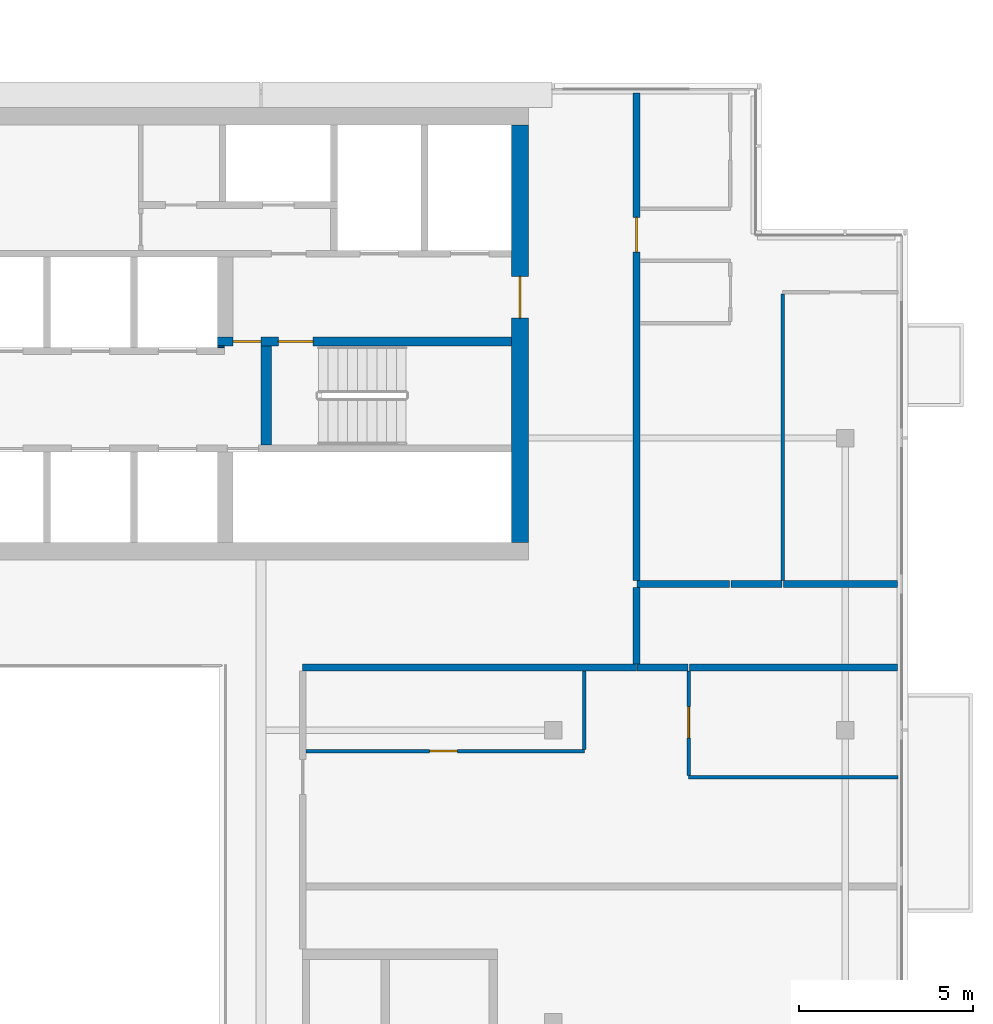
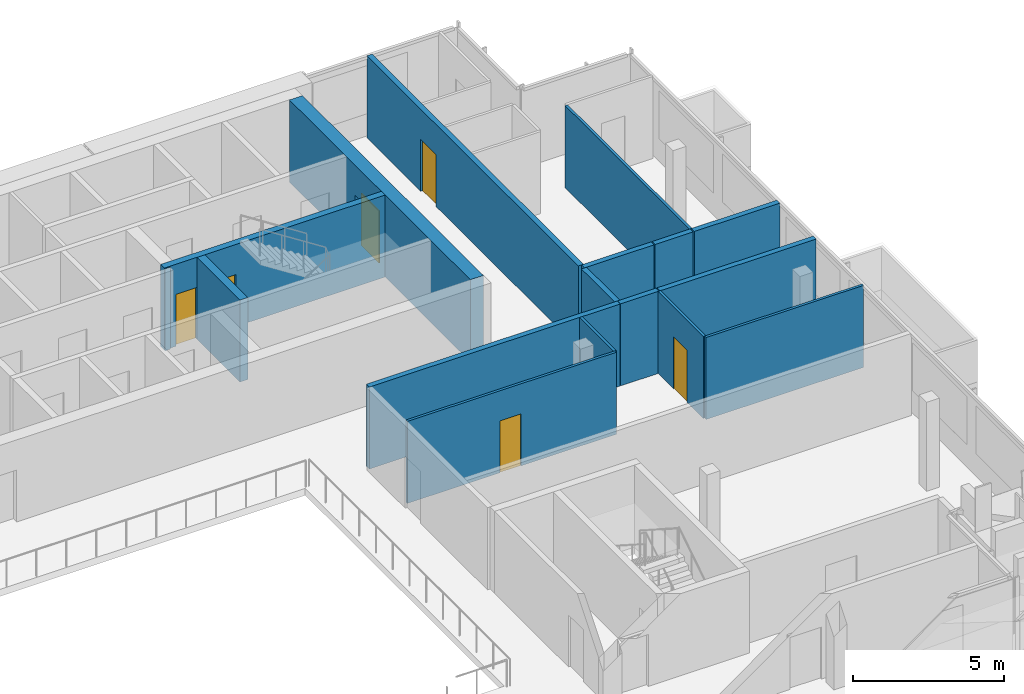
# One storey, part 13 of 21: 17 walls, 6 doors, 6 openings.
"""IFC4 building model written with IfcOpenShell, lengths in metres."""

from ifc_helpers import new_model, si_unit, direction, frame, frame_2d, origin, place, context, subcontext, project, spatial, rectangle, extrude, material, layer, layer_set, type_object, element, fill, save


model = new_model("IFC4")

# Units and contexts
model_context = context("Model", 3, precision=1e-05, world=origin(), true_north=direction((0.0, 1.0)))
body_context = subcontext(model_context, "Body", "Model", "MODEL_VIEW")
ifc_project = project(units=[si_unit("LENGTHUNIT", "METRE"), si_unit("AREAUNIT", "SQUARE_METRE"), si_unit("VOLUMEUNIT", "CUBIC_METRE"), si_unit("PLANEANGLEUNIT", "RADIAN"), si_unit("MASSUNIT", "GRAM", prefix="KILO")], contexts=[model_context])

# Site, building, storey
site_placement = place(None, origin())
site = spatial("IfcSite", under=ifc_project, at=site_placement, CompositionType="ELEMENT")
building_placement = place(site_placement, origin())
building = spatial("IfcBuilding", under=site, at=building_placement, Name="Saffron Gate Tower", CompositionType="ELEMENT")
storey_placement = place(building_placement, frame((0.0, 0.0, 288.75)))
storey = spatial("IfcBuildingStorey", under=building, at=storey_placement, Name="L70", CompositionType="ELEMENT", Elevation=288.75)

# Wall, opening, door
ifc_material_1 = material(Name="Concrete C50", Category="concrete")
ifc_layer_1 = layer(ifc_material_1, 0.5)
ifc_layer_set_1 = layer_set([ifc_layer_1], Name="CW22 RC core wall 500 C50")
wall_type_1 = type_object("IfcWallType", Name="CW22 RC core wall 500 C50", PredefinedType="SOLIDWALL", material=ifc_layer_set_1)
wall_1_placement = place(storey_placement, frame((107.64990234375, 62.39990234375, 0.0), z_axis=(0.0, 0.0, 1.0), x_axis=(0.0, 1.0, 0.0)))
wall_1 = element("IfcWall", 1, at=wall_1_placement, inside=storey, type_object=wall_type_1, Name="Wall CW22-L70-4", PredefinedType="SOLIDWALL", context=body_context, shape_type="SweptSolid", body=[
    extrude(rectangle(XDim=12.0, YDim=0.5, at=frame_2d((6.0, 0.0))), origin(), (0.0, 0.0, 1.0), 3.320068359375),
])
opening_1_placement = place(wall_1_placement, frame((6.449951171875, 0.0, 0.0)))
opening_1 = element("IfcOpeningElement", 2, at=opening_1_placement, cuts=wall_1, Name="Opening CR-08", PredefinedType="OPENING", context=body_context, shape_type="SweptSolid", body=[
    extrude(rectangle(XDim=1.199951171875, YDim=2.10009765625, at=frame_2d((0.60009765625, 1.050048828125))), frame((0.0, 0.260009765625, 0.0), z_axis=(0.0, -1.0, 0.0), x_axis=(1.0, 0.0, 0.0)), (0.0, 0.0, 1.0), 0.52001953125),
])
ifc_material_2 = material(Name="Steel fire door set", Category="steel")
door_type_1 = type_object("IfcDoorType", Name="CD7 Core entrance door 1200x2100 EI 120", OperationType="NOTDEFINED", PredefinedType="DOOR", material=ifc_material_2)
door_1_placement = place(opening_1_placement, origin())
door_1 = element("IfcDoor", 3, at=door_1_placement, inside=storey, type_object=door_type_1, Name="DOOR CR-08", OperationType="SINGLE_SWING_RIGHT", OverallHeight=2.10009765625, OverallWidth=1.199951171875, PredefinedType="DOOR", context=body_context, shape_type="SweptSolid", body=[
    extrude(rectangle(XDim=1.199951171875, YDim=2.10009765625, at=frame_2d((0.60009765625, 1.050048828125))), frame((0.0, 0.02490234375, 0.0), z_axis=(0.0, -1.0, 0.0), x_axis=(1.0, 0.0, 0.0)), (0.0, 0.0, 1.0), 0.050048828125),
])
fill(opening_1, door_1)

# Wall, openings, doors
ifc_layer_2 = layer(ifc_material_1, 0.25)
ifc_layer_set_2 = layer_set([ifc_layer_2], Name="CW23 RC core wall 250 C50")
wall_type_2 = type_object("IfcWallType", Name="CW23 RC core wall 250 C50", PredefinedType="SOLIDWALL", material=ifc_layer_set_2)
wall_2_placement = place(storey_placement, frame((98.949951171875, 68.175048828125, 0.0), z_axis=(0.0, 0.0, 1.0), x_axis=(1.0, 0.0, 0.0)))
wall_2 = element("IfcWall", 4, at=wall_2_placement, inside=storey, type_object=wall_type_2, Name="Wall CW23-L70-29", PredefinedType="SOLIDWALL", context=body_context, shape_type="SweptSolid", body=[
    extrude(rectangle(XDim=8.449951171875, YDim=0.25, at=frame_2d((4.22509765625, 0.0))), origin(), (0.0, 0.0, 1.0), 3.320068359375),
])
opening_2_placement = place(wall_2_placement, frame((0.449951171875, 0.0, 0.0)))
opening_2 = element("IfcOpeningElement", 5, at=opening_2_placement, cuts=wall_2, Name="Opening CR-05", PredefinedType="OPENING", context=body_context, shape_type="SweptSolid", body=[
    extrude(rectangle(XDim=0.800048828125, YDim=2.10009765625, at=frame_2d((0.39990234375, 1.050048828125))), frame((0.0, 0.135009765625, 0.0), z_axis=(0.0, -1.0, 0.0), x_axis=(1.0, 0.0, 0.0)), (0.0, 0.0, 1.0), 0.27001953125),
])
opening_3_placement = place(wall_2_placement, frame((1.75, 0.0, 0.0)))
opening_3 = element("IfcOpeningElement", 6, at=opening_3_placement, cuts=wall_2, Name="Opening CR-16", PredefinedType="OPENING", context=body_context, shape_type="SweptSolid", body=[
    extrude(rectangle(XDim=1.0, YDim=2.10009765625, at=frame_2d((0.5, 1.050048828125))), frame((0.0, 0.135009765625, 0.0), z_axis=(0.0, -1.0, 0.0), x_axis=(1.0, 0.0, 0.0)), (0.0, 0.0, 1.0), 0.27001953125),
])
door_type_2 = type_object("IfcDoorType", Name="CD5 Stair door 1000x2100 EI 120", OperationType="NOTDEFINED", PredefinedType="DOOR", material=ifc_material_2)
door_2_placement = place(opening_3_placement, origin())
door_2 = element("IfcDoor", 7, at=door_2_placement, inside=storey, type_object=door_type_2, Name="DOOR CR-16", OperationType="SINGLE_SWING_RIGHT", OverallHeight=2.10009765625, OverallWidth=1.0, PredefinedType="DOOR", context=body_context, shape_type="SweptSolid", body=[
    extrude(rectangle(XDim=1.0, YDim=2.10009765625, at=frame_2d((0.5, 1.050048828125))), frame((0.0, 0.02490234375, 0.0), z_axis=(0.0, -1.0, 0.0), x_axis=(1.0, 0.0, 0.0)), (0.0, 0.0, 1.0), 0.050048828125),
])
fill(opening_3, door_2)
door_type_3 = type_object("IfcDoorType", Name="CD6 Lobby door 800x2100 EI 120", OperationType="NOTDEFINED", PredefinedType="DOOR", material=ifc_material_2)
door_3_placement = place(opening_2_placement, origin())
door_3 = element("IfcDoor", 8, at=door_3_placement, inside=storey, type_object=door_type_3, Name="DOOR CR-05", OperationType="SINGLE_SWING_LEFT", OverallHeight=2.10009765625, OverallWidth=0.800048828125, PredefinedType="DOOR", context=body_context, shape_type="SweptSolid", body=[
    extrude(rectangle(XDim=0.800048828125, YDim=2.10009765625, at=frame_2d((0.39990234375, 1.050048828125))), frame((0.0, 0.02490234375, 0.0), z_axis=(0.0, -1.0, 0.0), x_axis=(1.0, 0.0, 0.0)), (0.0, 0.0, 1.0), 0.050048828125),
])
fill(opening_2, door_3)

# Walls
ifc_layer_3 = layer(ifc_material_1, 0.300048828125)
ifc_layer_set_3 = layer_set([ifc_layer_3], Name="CW26 RC core wall 300 C50")
wall_type_3 = type_object("IfcWallType", Name="CW26 RC core wall 300 C50", PredefinedType="SOLIDWALL", material=ifc_layer_set_3)
wall_3_placement = place(storey_placement, frame((100.35009765625, 65.199951171875, 0.0), z_axis=(0.0, 0.0, 1.0), x_axis=(0.0, 1.0, 0.0)))
element("IfcWall", 9, at=wall_3_placement, inside=storey, type_object=wall_type_3, Name="Wall CW26-L70-19", PredefinedType="SOLIDWALL", context=body_context, shape_type="SweptSolid", body=[
    extrude(rectangle(XDim=2.85009765625, YDim=0.300048828125, at=frame_2d((1.425048828125, 0.0))), origin(), (0.0, 0.0, 1.0), 3.320068359375),
])
ifc_layer_4 = layer(ifc_material_1, 0.050048828125)
ifc_layer_set_4 = layer_set([ifc_layer_4], Name="CW27 RC core wall 50 C50")
wall_type_4 = type_object("IfcWallType", Name="CW27 RC core wall 50 C50", PredefinedType="SOLIDWALL", material=ifc_layer_set_4)
wall_4_placement = place(storey_placement, frame((98.949951171875, 68.02490234375, 0.0), z_axis=(0.0, 0.0, 1.0), x_axis=(1.0, 0.0, 0.0)))
element("IfcWall", 10, at=wall_4_placement, inside=storey, type_object=wall_type_4, Name="Wall CW27-L70-27", PredefinedType="SOLIDWALL", context=body_context, shape_type="SweptSolid", body=[
    extrude(rectangle(XDim=0.199951171875, YDim=0.050048828125, at=frame_2d((0.10009765625, 0.0))), origin(), (0.0, 0.0, 1.0), 3.320068359375),
])
ifc_material_3 = material(Name="Plasterboard on steel studs", Category="steel")
ifc_layer_5 = layer(ifc_material_3, 0.10009765625)
ifc_layer_set_5 = layer_set([ifc_layer_5], Name="PW1 Partition 100")
wall_type_5 = type_object("IfcWallType", Name="PW1 Partition 100", PredefinedType="PARTITIONING", material=ifc_layer_set_5)
wall_5_placement = place(storey_placement, frame((112.5, 55.64990234375, 0.0), z_axis=(0.0, 0.0, 1.0), x_axis=(1.0, 0.0, 0.0)))
element("IfcWall", 11, at=wall_5_placement, inside=storey, type_object=wall_type_5, Name="Partition E5-10", PredefinedType="PARTITIONING", context=body_context, shape_type="SweptSolid", body=[
    extrude(rectangle(XDim=6.02001953125, YDim=0.10009765625, at=frame_2d((3.010009765625, 0.0))), origin(), (0.0, 0.0, 1.0), 3.320068359375),
])

# Wall, opening, door
wall_6_placement = place(storey_placement, frame((101.5, 56.39990234375, 0.0), z_axis=(0.0, 0.0, 1.0), x_axis=(1.0, 0.0, 0.0)))
wall_6 = element("IfcWall", 12, at=wall_6_placement, inside=storey, type_object=wall_type_5, Name="Partition E5-11", PredefinedType="PARTITIONING", context=body_context, shape_type="SweptSolid", body=[
    extrude(rectangle(XDim=8.0, YDim=0.10009765625, at=frame_2d((4.0, 0.0))), origin(), (0.0, 0.0, 1.0), 3.320068359375),
])
opening_4_placement = place(wall_6_placement, frame((3.550048828125, 0.0, 0.0)))
opening_4 = element("IfcOpeningElement", 13, at=opening_4_placement, cuts=wall_6, Name="Opening E5-12", PredefinedType="OPENING", context=body_context, shape_type="SweptSolid", body=[
    extrude(rectangle(XDim=0.800048828125, YDim=2.10009765625, at=frame_2d((0.39990234375, 1.050048828125))), frame((0.0, 0.06005859375, 0.0), z_axis=(0.0, -1.0, 0.0), x_axis=(1.0, 0.0, 0.0)), (0.0, 0.0, 1.0), 0.1201171875),
])
ifc_material_4 = material(Name="Timber door set", Category="wood")
door_type_4 = type_object("IfcDoorType", Name="RD2 Bathroom door 800x2100", OperationType="NOTDEFINED", PredefinedType="DOOR", material=ifc_material_4)
door_4_placement = place(opening_4_placement, origin())
door_4 = element("IfcDoor", 14, at=door_4_placement, inside=storey, type_object=door_type_4, Name="Door E5-12", OperationType="SINGLE_SWING_LEFT", OverallHeight=2.10009765625, OverallWidth=0.800048828125, PredefinedType="DOOR", context=body_context, shape_type="SweptSolid", body=[
    extrude(rectangle(XDim=0.800048828125, YDim=2.10009765625, at=frame_2d((0.39990234375, 1.050048828125))), frame((0.0, 0.02490234375, 0.0), z_axis=(0.0, -1.0, 0.0), x_axis=(1.0, 0.0, 0.0)), (0.0, 0.0, 1.0), 0.050048828125),
])
fill(opening_4, door_4)

# Wall
wall_7_placement = place(storey_placement, frame((109.5, 58.699951171875, 0.0), z_axis=(0.0, 0.0, 1.0), x_axis=(0.0, -1.0, 0.0)))
element("IfcWall", 15, at=wall_7_placement, inside=storey, type_object=wall_type_5, Name="Partition E5-40", PredefinedType="PARTITIONING", context=body_context, shape_type="SweptSolid", body=[
    extrude(rectangle(XDim=2.25, YDim=0.10009765625, at=frame_2d((1.125, 0.0))), origin(), (0.0, 0.0, 1.0), 3.320068359375),
])

# Wall, opening, door
wall_8_placement = place(storey_placement, frame((112.5, 58.699951171875, 0.0), z_axis=(0.0, 0.0, 1.0), x_axis=(0.0, -1.0, 0.0)))
wall_8 = element("IfcWall", 16, at=wall_8_placement, inside=storey, type_object=wall_type_5, Name="Partition E5-43", PredefinedType="PARTITIONING", context=body_context, shape_type="SweptSolid", body=[
    extrude(rectangle(XDim=3.0, YDim=0.10009765625, at=frame_2d((1.5, 0.0))), origin(), (0.0, 0.0, 1.0), 3.320068359375),
])
opening_5_placement = place(wall_8_placement, frame((1.02490234375, 0.0, 0.0)))
opening_5 = element("IfcOpeningElement", 17, at=opening_5_placement, cuts=wall_8, Name="Opening E5-7", PredefinedType="OPENING", context=body_context, shape_type="SweptSolid", body=[
    extrude(rectangle(XDim=0.89990234375, YDim=2.10009765625, at=frame_2d((0.449951171875, 1.050048828125))), frame((0.0, 0.06005859375, 0.0), z_axis=(0.0, -1.0, 0.0), x_axis=(1.0, 0.0, 0.0)), (0.0, 0.0, 1.0), 0.1201171875),
])
door_type_5 = type_object("IfcDoorType", Name="RD1 Room door 900x2100", OperationType="NOTDEFINED", PredefinedType="DOOR", material=ifc_material_4)
door_5_placement = place(opening_5_placement, origin())
door_5 = element("IfcDoor", 18, at=door_5_placement, inside=storey, type_object=door_type_5, Name="Door E5-7", OperationType="SINGLE_SWING_LEFT", OverallHeight=2.10009765625, OverallWidth=0.89990234375, PredefinedType="DOOR", context=body_context, shape_type="SweptSolid", body=[
    extrude(rectangle(XDim=0.89990234375, YDim=2.10009765625, at=frame_2d((0.449951171875, 1.050048828125))), frame((0.0, 0.02490234375, 0.0), z_axis=(0.0, -1.0, 0.0), x_axis=(1.0, 0.0, 0.0)), (0.0, 0.0, 1.0), 0.050048828125),
])
fill(opening_5, door_5)

# Walls
wall_9_placement = place(storey_placement, frame((115.199951171875, 69.550048828125, 0.0), z_axis=(0.0, 0.0, 1.0), x_axis=(0.0, -1.0, 0.0)))
element("IfcWall", 19, at=wall_9_placement, inside=storey, type_object=wall_type_5, Name="Partition E5-47", PredefinedType="PARTITIONING", context=body_context, shape_type="SweptSolid", body=[
    extrude(rectangle(XDim=8.25, YDim=0.10009765625, at=frame_2d((4.125, 0.0))), origin(), (0.0, 0.0, 1.0), 3.320068359375),
])
ifc_material_5 = material(Name="Clay brick masonry, rendered", Category="masonry")
ifc_layer_6 = layer(ifc_material_5, 0.199951171875)
ifc_layer_set_6 = layer_set([ifc_layer_6], Name="PW3 Corridor wall 200")
wall_type_6 = type_object("IfcWallType", Name="PW3 Corridor wall 200", PredefinedType="PARTITIONING", material=ifc_layer_set_6)
wall_10_placement = place(storey_placement, frame((101.39990234375, 58.800048828125, 0.0), z_axis=(0.0, 0.0, 1.0), x_axis=(1.0, 0.0, 0.0)))
element("IfcWall", 20, at=wall_10_placement, inside=storey, type_object=wall_type_6, Name="Wall E5-13", PredefinedType="PARTITIONING", context=body_context, shape_type="SweptSolid", body=[
    extrude(rectangle(XDim=9.60009765625, YDim=0.199951171875, at=frame_2d((4.800048828125, 0.0))), origin(), (0.0, 0.0, 1.0), 3.320068359375),
])

# Wall, opening, door
wall_11_placement = place(storey_placement, frame((111.0, 75.320068359375, 0.0), z_axis=(0.0, 0.0, 1.0), x_axis=(0.0, -1.0, 0.0)))
wall_11 = element("IfcWall", 21, at=wall_11_placement, inside=storey, type_object=wall_type_6, Name="Wall E5-41", PredefinedType="PARTITIONING", context=body_context, shape_type="SweptSolid", body=[
    extrude(rectangle(XDim=14.02001953125, YDim=0.199951171875, at=frame_2d((7.010009765625, 0.0))), origin(), (0.0, 0.0, 1.0), 3.320068359375),
])
opening_6_placement = place(wall_11_placement, frame((3.570068359375, 0.0, 0.0)))
opening_6 = element("IfcOpeningElement", 22, at=opening_6_placement, cuts=wall_11, Name="Opening E5-4", PredefinedType="OPENING", context=body_context, shape_type="SweptSolid", body=[
    extrude(rectangle(XDim=1.0, YDim=2.10009765625, at=frame_2d((0.5, 1.050048828125))), frame((0.0, 0.10986328125, 0.0), z_axis=(0.0, -1.0, 0.0), x_axis=(1.0, 0.0, 0.0)), (0.0, 0.0, 1.0), 0.219970703125),
])
ifc_material_6 = material(Name="Timber fire door set", Category="wood")
door_type_6 = type_object("IfcDoorType", Name="FD1 Flat entry door 1000x2100", OperationType="NOTDEFINED", PredefinedType="DOOR", material=ifc_material_6)
door_6_placement = place(opening_6_placement, origin())
door_6 = element("IfcDoor", 23, at=door_6_placement, inside=storey, type_object=door_type_6, Name="Door E5-4", OperationType="SINGLE_SWING_RIGHT", OverallHeight=2.10009765625, OverallWidth=1.0, PredefinedType="DOOR", context=body_context, shape_type="SweptSolid", body=[
    extrude(rectangle(XDim=1.0, YDim=2.10009765625, at=frame_2d((0.5, 1.050048828125))), frame((0.0, 0.02490234375, 0.0), z_axis=(0.0, -1.0, 0.0), x_axis=(1.0, 0.0, 0.0)), (0.0, 0.0, 1.0), 0.050048828125),
])
fill(opening_6, door_6)

# Walls
ifc_layer_7 = layer(ifc_material_5, 0.199951171875)
ifc_layer_set_7 = layer_set([ifc_layer_7], Name="PW5 Room wall 200")
wall_type_7 = type_object("IfcWallType", Name="PW5 Room wall 200", PredefinedType="PARTITIONING", material=ifc_layer_set_7)
wall_12_placement = place(storey_placement, frame((111.02001953125, 58.800048828125, 0.0), z_axis=(0.0, 0.0, 1.0), x_axis=(1.0, 0.0, 0.0)))
element("IfcWall", 24, at=wall_12_placement, inside=storey, type_object=wall_type_7, Name="Wall E5-15", PredefinedType="PARTITIONING", context=body_context, shape_type="SweptSolid", body=[
    extrude(rectangle(XDim=1.4599609375, YDim=0.199951171875, at=frame_2d((0.72998046875, 0.0))), origin(), (0.0, 0.0, 1.0), 3.320068359375),
])
wall_13_placement = place(storey_placement, frame((112.52001953125, 58.800048828125, 0.0), z_axis=(0.0, 0.0, 1.0), x_axis=(1.0, 0.0, 0.0)))
element("IfcWall", 25, at=wall_13_placement, inside=storey, type_object=wall_type_7, Name="Wall E5-16", PredefinedType="PARTITIONING", context=body_context, shape_type="SweptSolid", body=[
    extrude(rectangle(XDim=5.97998046875, YDim=0.199951171875, at=frame_2d((2.989990234375, 0.0))), origin(), (0.0, 0.0, 1.0), 3.320068359375),
])
wall_14_placement = place(storey_placement, frame((111.02001953125, 61.199951171875, 0.0), z_axis=(0.0, 0.0, 1.0), x_axis=(1.0, 0.0, 0.0)))
element("IfcWall", 26, at=wall_14_placement, inside=storey, type_object=wall_type_7, Name="Wall E5-20", PredefinedType="PARTITIONING", context=body_context, shape_type="SweptSolid", body=[
    extrude(rectangle(XDim=2.659912109375, YDim=0.199951171875, at=frame_2d((1.330078125, 0.0))), origin(), (0.0, 0.0, 1.0), 3.320068359375),
])
wall_15_placement = place(storey_placement, frame((113.719970703125, 61.199951171875, 0.0), z_axis=(0.0, 0.0, 1.0), x_axis=(1.0, 0.0, 0.0)))
element("IfcWall", 27, at=wall_15_placement, inside=storey, type_object=wall_type_7, Name="Wall E5-21", PredefinedType="PARTITIONING", context=body_context, shape_type="SweptSolid", body=[
    extrude(rectangle(XDim=1.4599609375, YDim=0.199951171875, at=frame_2d((0.72998046875, 0.0))), origin(), (0.0, 0.0, 1.0), 3.320068359375),
])
wall_16_placement = place(storey_placement, frame((115.219970703125, 61.199951171875, 0.0), z_axis=(0.0, 0.0, 1.0), x_axis=(1.0, 0.0, 0.0)))
element("IfcWall", 28, at=wall_16_placement, inside=storey, type_object=wall_type_7, Name="Wall E5-22", PredefinedType="PARTITIONING", context=body_context, shape_type="SweptSolid", body=[
    extrude(rectangle(XDim=3.280029296875, YDim=0.199951171875, at=frame_2d((1.64013671875, 0.0))), origin(), (0.0, 0.0, 1.0), 3.320068359375),
])
wall_17_placement = place(storey_placement, frame((111.0, 61.10009765625, 0.0), z_axis=(0.0, 0.0, 1.0), x_axis=(0.0, -1.0, 0.0)))
element("IfcWall", 29, at=wall_17_placement, inside=storey, type_object=wall_type_7, Name="Wall E5-42", PredefinedType="PARTITIONING", context=body_context, shape_type="SweptSolid", body=[
    extrude(rectangle(XDim=2.2001953125, YDim=0.199951171875, at=frame_2d((1.10009765625, 0.0))), origin(), (0.0, 0.0, 1.0), 3.320068359375),
])

save(model, "model.ifc")
